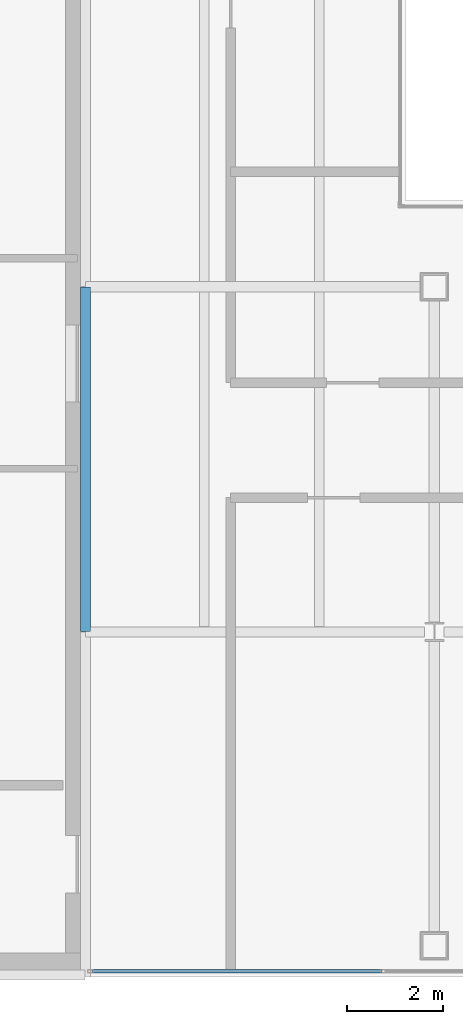
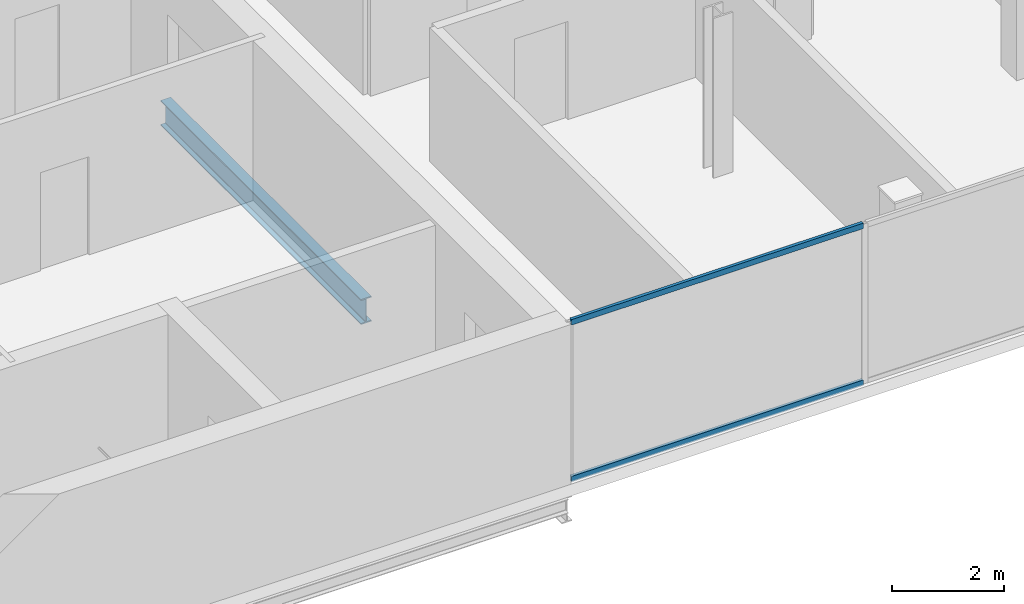
# One storey, part 3 of 15: 2 members, 1 beam, 1 element without a shape of its own.
"""IFC4 building model written with IfcOpenShell, lengths in metres."""

from ifc_helpers import new_model, si_unit, direction, frame, origin, origin_2d, place, context, subcontext, project, spatial, hollow_rectangle, i_section, extrude, material, material_profile, profile_set, type_object, element, aggregate, save


model = new_model("IFC4")

# Units and contexts
model_context = context("Model", 3, precision=1e-05, world=origin(), true_north=direction((0.0, 1.0)))
body_context = subcontext(model_context, "Body", "Model", "MODEL_VIEW")
ifc_project = project(units=[si_unit("LENGTHUNIT", "METRE"), si_unit("AREAUNIT", "SQUARE_METRE"), si_unit("VOLUMEUNIT", "CUBIC_METRE"), si_unit("PLANEANGLEUNIT", "RADIAN"), si_unit("MASSUNIT", "GRAM", prefix="KILO")], contexts=[model_context])

# Site, building, storey
site_placement = place(None, origin())
site = spatial("IfcSite", under=ifc_project, at=site_placement, CompositionType="ELEMENT")
building_placement = place(site_placement, origin())
building = spatial("IfcBuilding", under=site, at=building_placement, Name="Cobrela Telecom Tower", CompositionType="ELEMENT")
storey_placement = place(building_placement, frame((0.0, 0.0, 301.35009765625)))
storey = spatial("IfcBuildingStorey", under=building, at=storey_placement, Name="L79", CompositionType="ELEMENT", Elevation=301.35009765625)

# Beam
ifc_material_1 = material(Name="Steel ASTM A992 Grade 50", Category="steel")
ifc_material_profile_1 = material_profile(ifc_material_1, i_section(OverallWidth=0.212890625, OverallDepth=0.549072265625, WebThickness=0.0146484375, FlangeThickness=0.023681640625, FilletRadius=0.013916015625, at=origin_2d()), Name="W21X93")
ifc_profile_set_1 = profile_set([ifc_material_profile_1], Name="Steel ASTM A992 Grade 50")
beam_type = type_object("IfcBeamType", Name="BM-GIRD-08", PredefinedType="USERDEFINED", material=ifc_profile_set_1)
beam_placement = place(storey_placement, frame((14.320068359375, 14.405029296875, -0.53466796875), z_axis=(0.0, 1.0, 0.0), x_axis=(-1.0, 0.0, 0.0)))
element("IfcBeam", 1, at=beam_placement, inside=storey, type_object=beam_type, Name="L79 Primary Girder Y10", ObjectType="GIRDER", PredefinedType="USERDEFINED", context=body_context, shape_type="SweptSolid", body=[
    extrude(i_section(OverallWidth=0.212890625, OverallDepth=0.549072265625, WebThickness=0.0146484375, FlangeThickness=0.023681640625, FilletRadius=0.013916015625, at=origin_2d()), origin(), (0.0, 0.0, 1.0), 7.18994140625),
])

# Curtain wall, members
ifc_material_2 = material(Name="Anodized Bronze Aluminium 6063-T6", Category="aluminium")
curtain_wall_type = type_object("IfcCurtainWallType", Name="CW-SYS-DRUM", PredefinedType="USERDEFINED", material=ifc_material_2)
curtain_wall_placement = place(storey_placement, origin())
curtain_wall = element("IfcCurtainWall", 2, at=curtain_wall_placement, inside=storey, type_object=curtain_wall_type, Name="L79 Unitised Bronze Curtain Wall 11", ObjectType="UNITISED CURTAIN WALL", PredefinedType="USERDEFINED")
ifc_material_profile_2 = material_profile(ifc_material_2, hollow_rectangle(XDim=0.06494140625, YDim=0.1201171875, WallThickness=0.00390625, at=origin_2d()), Name="ALU 65x120x4")
ifc_profile_set_2 = profile_set([ifc_material_profile_2], Name="Anodized Bronze Aluminium 6063-T6")
member_type = type_object("IfcMemberType", Name="CW-SYS-DRUM-TRN", PredefinedType="USERDEFINED", material=ifc_profile_set_2)
member_1_placement = place(storey_placement, frame((20.507568359375, 7.320068359375, 0.032470703125), z_axis=(-1.0, 0.0, 0.0), x_axis=(0.0, -1.0, 0.0)))
member_1 = element("IfcMember", 3, at=member_1_placement, type_object=member_type, Name="CW-DRUM transom 2.1", ObjectType="TRANSOM", PredefinedType="USERDEFINED", context=body_context, shape_type="SweptSolid", body=[
    extrude(hollow_rectangle(XDim=0.06494140625, YDim=0.1201171875, WallThickness=0.00390625, at=origin_2d()), origin(), (0.0, 0.0, 1.0), 6.04248046875),
])
member_2_placement = place(storey_placement, frame((20.507568359375, 7.320068359375, 3.46728515625), z_axis=(-1.0, 0.0, 0.0), x_axis=(0.0, -1.0, 0.0)))
member_2 = element("IfcMember", 4, at=member_2_placement, type_object=member_type, Name="CW-DRUM transom 2.2", ObjectType="TRANSOM", PredefinedType="USERDEFINED", context=body_context, shape_type="SweptSolid", body=[
    extrude(hollow_rectangle(XDim=0.06494140625, YDim=0.1201171875, WallThickness=0.00390625, at=origin_2d()), origin(), (0.0, 0.0, 1.0), 6.04248046875),
])
aggregate(curtain_wall, [member_1, member_2])

save(model, "model.ifc")
